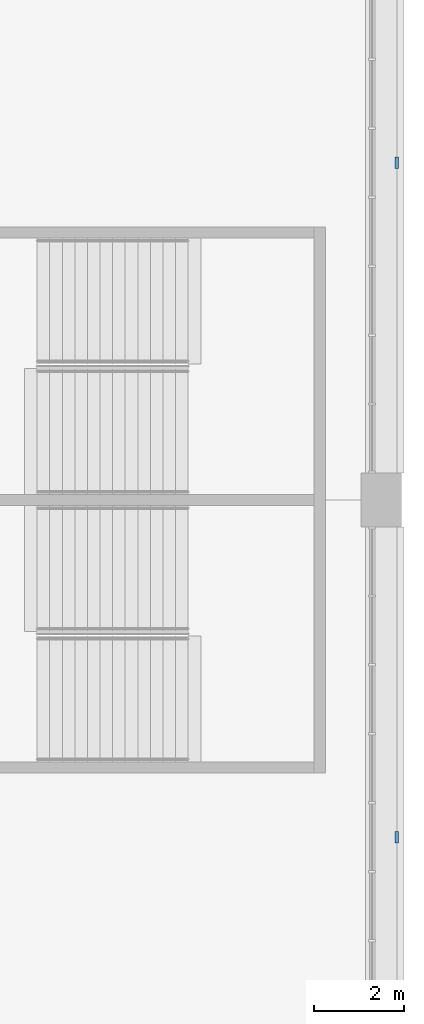
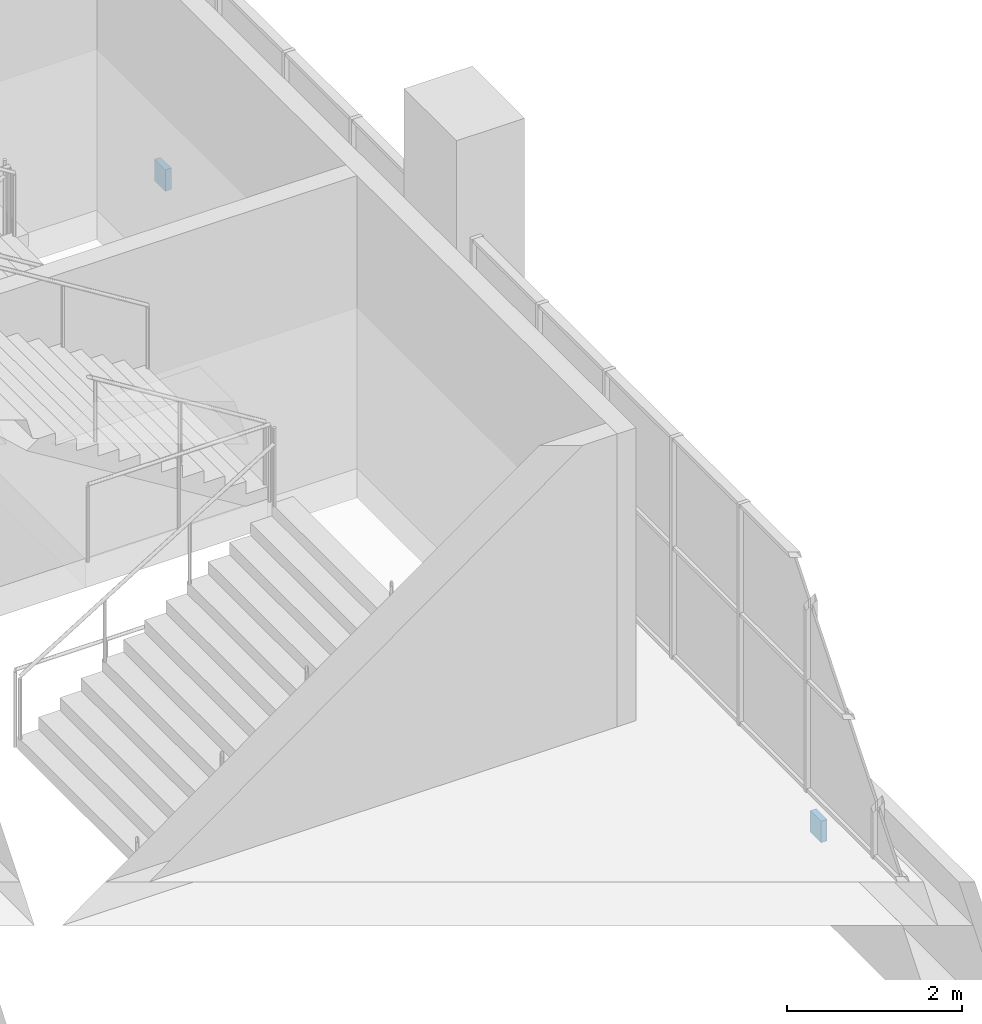
# One storey, part 107 of 249: 2 discrete accessories.
"""IFC4 building model written with IfcOpenShell, lengths in metres."""

from ifc_helpers import new_model, si_unit, direction, frame, origin, origin_2d, place, context, subcontext, project, spatial, rectangle, extrude, material, layer, layer_set, type_object, element, save


model = new_model("IFC4")

# Units and contexts
model_context = context("Model", 3, precision=1e-05, world=origin(), true_north=direction((0.0, 1.0)))
body_context = subcontext(model_context, "Body", "Model", "MODEL_VIEW")
ifc_project = project(units=[si_unit("LENGTHUNIT", "METRE"), si_unit("AREAUNIT", "SQUARE_METRE"), si_unit("VOLUMEUNIT", "CUBIC_METRE"), si_unit("PLANEANGLEUNIT", "RADIAN"), si_unit("MASSUNIT", "GRAM", prefix="KILO")], contexts=[model_context])

# Site, building, storey
site_placement = place(None, origin())
site = spatial("IfcSite", under=ifc_project, at=site_placement, CompositionType="ELEMENT")
building_placement = place(site_placement, origin())
building = spatial("IfcBuilding", under=site, at=building_placement, Name="Ogive Plaza Stadium", CompositionType="ELEMENT")
storey_placement = place(building_placement, frame((0.0, 0.0, 13.5)))
storey = spatial("IfcBuildingStorey", under=building, at=storey_placement, Name="L03", CompositionType="ELEMENT", Elevation=13.5)

# Discrete accessories
ifc_material = material(Name="Steel ASTM A572 Grade 50", Category="steel")
ifc_layer = layer(ifc_material, 0.080078125)
ifc_layer_set = layer_set([ifc_layer], Name="Steel ASTM A572 Grade 50")
discrete_accessory_type = type_object("IfcDiscreteAccessoryType", Name="Spandrel cladding bracket 250x300", PredefinedType="BRACKET", material=ifc_layer_set)
for number, where, z_axis, x_axis, name in (
    (1, (84.35009765625, 15.0, -1.31005859375), (0.0, 0.0, 1.0), (0.0, -1.0, 0.0), "SPANDREL BRACKET B03 L03"),
    (2, (84.35009765625, 0.0, -1.31005859375), (0.0, 0.0, 1.0), (0.0, -1.0, 0.0), "SPANDREL BRACKET B04 L03"),
):
    element("IfcDiscreteAccessory", number, at=place(storey_placement, frame(where, z_axis=z_axis, x_axis=x_axis)), inside=storey, type_object=discrete_accessory_type, Name=name, PredefinedType="BRACKET", context=body_context, shape_type="SweptSolid", body=[
        extrude(rectangle(XDim=0.25, YDim=0.080078125, at=origin_2d()), origin(), (0.0, 0.0, 1.0), 0.300048828125),
    ])

save(model, "model.ifc")
